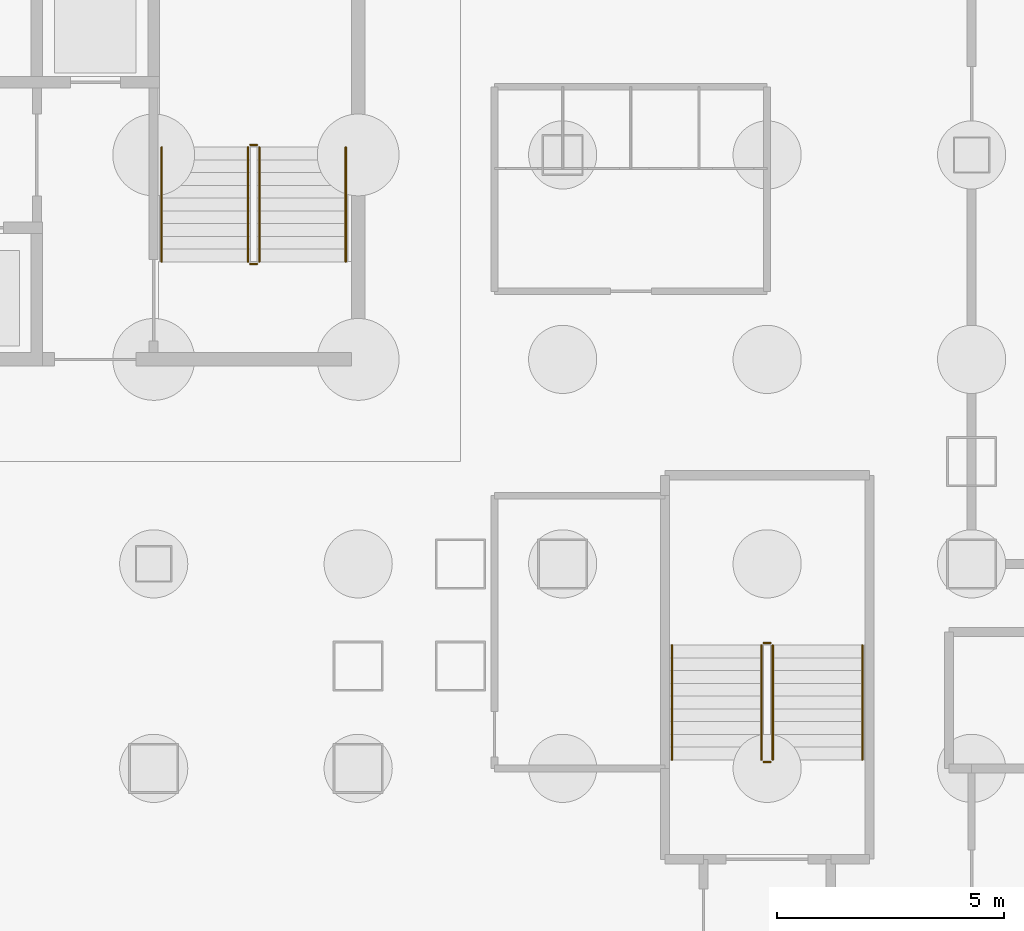
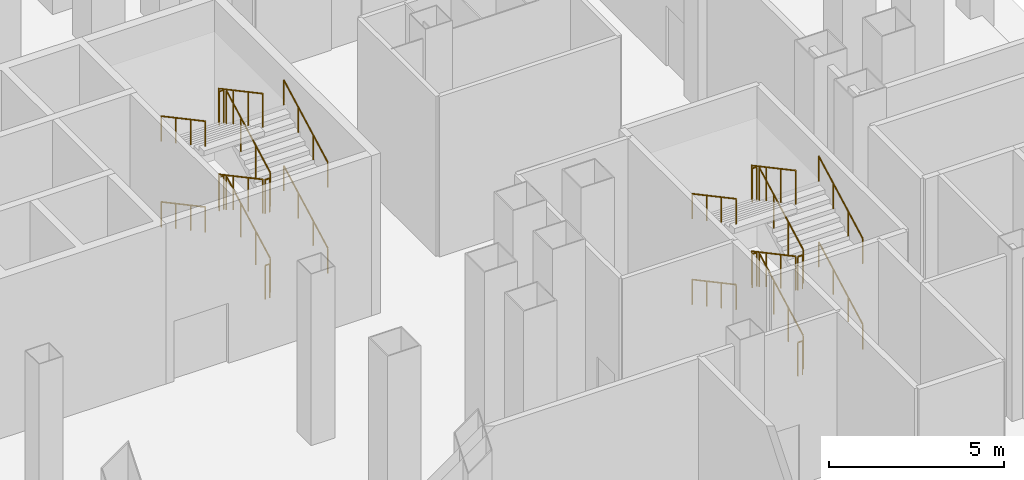
# One storey, part 21 of 25: 24 railings.
"""IFC4 building model written with IfcOpenShell, lengths in metres."""

from ifc_helpers import new_model, si_unit, direction, frame, origin, origin_2d, place, context, subcontext, project, spatial, circle, extrude, material, type_object, element, save


model = new_model("IFC4")

# Units and contexts
model_context = context("Model", 3, precision=1e-05, world=origin(), true_north=direction((0.0, 1.0)))
body_context = subcontext(model_context, "Body", "Model", "MODEL_VIEW")
ifc_project = project(units=[si_unit("LENGTHUNIT", "METRE"), si_unit("AREAUNIT", "SQUARE_METRE"), si_unit("VOLUMEUNIT", "CUBIC_METRE"), si_unit("PLANEANGLEUNIT", "RADIAN"), si_unit("MASSUNIT", "GRAM", prefix="KILO")], contexts=[model_context])

# Site, building, storey
site_placement = place(None, origin())
site = spatial("IfcSite", under=ifc_project, at=site_placement, CompositionType="ELEMENT")
building_placement = place(site_placement, origin())
building = spatial("IfcBuilding", under=site, at=building_placement, Name="Caravel Reach Hotel and Residences", CompositionType="ELEMENT")
storey_placement = place(building_placement, frame((0.0, 0.0, -6.0)))
storey = spatial("IfcBuildingStorey", under=building, at=storey_placement, Name="B1", CompositionType="ELEMENT", Elevation=-6.0)

# Railings
ifc_material_1 = material(Name="Steel balustrade with glass infill", Category="steel")
railing_type_1 = type_object("IfcRailingType", Name="Guard 1200", PredefinedType="GUARDRAIL", material=ifc_material_1)
railing_1_placement = place(storey_placement, frame((42.824951171875, 24.64990234375, 0.14990234375)))
element("IfcRailing", 1, at=railing_1_placement, inside=storey, type_object=railing_type_1, Name="B1 ST-B stair guard 1", PredefinedType="GUARDRAIL", context=body_context, shape_type="SweptSolid", body=[
    extrude(circle(Radius=0.02392578125, at=origin_2d()), frame((0.0, 0.0, 1.17578125), z_axis=(0.0, 0.881467274426, 0.472245110209), x_axis=(-1.0, 0.0, 0.0)), (0.0, 0.0, 1.0), 2.85888671875),
    extrude(circle(Radius=0.02099609375, at=origin_2d()), origin(), (0.0, 0.0, 1.0), 1.15185546875),
    extrude(circle(Radius=0.02099609375, at=origin_2d()), frame((0.0, 0.840087890625, 0.449951171875)), (0.0, 0.0, 1.0), 1.15185546875),
    extrude(circle(Radius=0.02099609375, at=origin_2d()), frame((0.0, 1.679931640625, 0.900146484375)), (0.0, 0.0, 1.0), 1.15185546875),
    extrude(circle(Radius=0.02099609375, at=origin_2d()), frame((0.0, 2.52001953125, 1.35009765625)), (0.0, 0.0, 1.0), 1.15185546875),
])
railing_2_placement = place(storey_placement, frame((42.77490234375, 27.219970703125, 1.5)))
element("IfcRailing", 2, at=railing_2_placement, inside=storey, type_object=railing_type_1, Name="B1 ST-B stair guard 2", PredefinedType="GUARDRAIL", context=body_context, shape_type="SweptSolid", body=[
    extrude(circle(Radius=0.02392578125, at=origin_2d()), frame((0.0, 0.0, 1.17578125), z_axis=(-1.0, 0.0, 0.0), x_axis=(0.0, -1.0, 0.0)), (0.0, 0.0, 1.0), 0.14990234375),
    extrude(circle(Radius=0.02099609375, at=origin_2d()), origin(), (0.0, 0.0, 1.0), 1.15185546875),
    extrude(circle(Radius=0.02099609375, at=origin_2d()), frame((-0.14990234375, 0.0, 0.0)), (0.0, 0.0, 1.0), 1.15185546875),
])
railing_3_placement = place(storey_placement, frame((42.574951171875, 27.169921875, 1.64990234375)))
element("IfcRailing", 3, at=railing_3_placement, inside=storey, type_object=railing_type_1, Name="B1 ST-B stair guard 3", PredefinedType="GUARDRAIL", context=body_context, shape_type="SweptSolid", body=[
    extrude(circle(Radius=0.02392578125, at=origin_2d()), frame((0.0, 0.0, 1.17578125), z_axis=(0.0, -0.881467274426, 0.472245110209), x_axis=(1.0, 0.0, 0.0)), (0.0, 0.0, 1.0), 2.85888671875),
    extrude(circle(Radius=0.02099609375, at=origin_2d()), origin(), (0.0, 0.0, 1.0), 1.15185546875),
    extrude(circle(Radius=0.02099609375, at=origin_2d()), frame((0.0, -0.840087890625, 0.449951171875)), (0.0, 0.0, 1.0), 1.15185546875),
    extrude(circle(Radius=0.02099609375, at=origin_2d()), frame((0.0, -1.679931640625, 0.900146484375)), (0.0, 0.0, 1.0), 1.15185546875),
    extrude(circle(Radius=0.02099609375, at=origin_2d()), frame((0.0, -2.52001953125, 1.35009765625)), (0.0, 0.0, 1.0), 1.15185546875),
])
railing_4_placement = place(storey_placement, frame((42.77490234375, 24.60009765625, 3.0)))
element("IfcRailing", 4, at=railing_4_placement, inside=storey, type_object=railing_type_1, Name="B1 ST-B stair guard 4", PredefinedType="GUARDRAIL", context=body_context, shape_type="SweptSolid", body=[
    extrude(circle(Radius=0.02392578125, at=origin_2d()), frame((0.0, 0.0, 1.17578125), z_axis=(-1.0, 0.0, 0.0), x_axis=(0.0, -1.0, 0.0)), (0.0, 0.0, 1.0), 0.14990234375),
    extrude(circle(Radius=0.02099609375, at=origin_2d()), origin(), (0.0, 0.0, 1.0), 1.15185546875),
    extrude(circle(Radius=0.02099609375, at=origin_2d()), frame((-0.14990234375, 0.0, 0.0)), (0.0, 0.0, 1.0), 1.15185546875),
])
railing_5_placement = place(storey_placement, frame((42.824951171875, 24.64990234375, 3.14990234375)))
element("IfcRailing", 5, at=railing_5_placement, inside=storey, type_object=railing_type_1, Name="B1 ST-B stair guard 5", PredefinedType="GUARDRAIL", context=body_context, shape_type="SweptSolid", body=[
    extrude(circle(Radius=0.02392578125, at=origin_2d()), frame((0.0, 0.0, 1.17578125), z_axis=(0.0, 0.881467274426, 0.472245110209), x_axis=(-1.0, 0.0, 0.0)), (0.0, 0.0, 1.0), 2.85888671875),
    extrude(circle(Radius=0.02099609375, at=origin_2d()), origin(), (0.0, 0.0, 1.0), 1.15185546875),
    extrude(circle(Radius=0.02099609375, at=origin_2d()), frame((0.0, 0.840087890625, 0.449951171875)), (0.0, 0.0, 1.0), 1.15185546875),
    extrude(circle(Radius=0.02099609375, at=origin_2d()), frame((0.0, 1.679931640625, 0.900146484375)), (0.0, 0.0, 1.0), 1.15185546875),
    extrude(circle(Radius=0.02099609375, at=origin_2d()), frame((0.0, 2.52001953125, 1.35009765625)), (0.0, 0.0, 1.0), 1.15185546875),
])
railing_6_placement = place(storey_placement, frame((42.77490234375, 27.219970703125, 4.5)))
element("IfcRailing", 6, at=railing_6_placement, inside=storey, type_object=railing_type_1, Name="B1 ST-B stair guard 6", PredefinedType="GUARDRAIL", context=body_context, shape_type="SweptSolid", body=[
    extrude(circle(Radius=0.02392578125, at=origin_2d()), frame((0.0, 0.0, 1.17578125), z_axis=(-1.0, 0.0, 0.0), x_axis=(0.0, -1.0, 0.0)), (0.0, 0.0, 1.0), 0.14990234375),
    extrude(circle(Radius=0.02099609375, at=origin_2d()), origin(), (0.0, 0.0, 1.0), 1.15185546875),
    extrude(circle(Radius=0.02099609375, at=origin_2d()), frame((-0.14990234375, 0.0, 0.0)), (0.0, 0.0, 1.0), 1.15185546875),
])
railing_7_placement = place(storey_placement, frame((42.574951171875, 27.169921875, 4.64990234375)))
element("IfcRailing", 7, at=railing_7_placement, inside=storey, type_object=railing_type_1, Name="B1 ST-B stair guard 7", PredefinedType="GUARDRAIL", context=body_context, shape_type="SweptSolid", body=[
    extrude(circle(Radius=0.02392578125, at=origin_2d()), frame((0.0, 0.0, 1.17578125), z_axis=(0.0, -0.881467274426, 0.472245110209), x_axis=(1.0, 0.0, 0.0)), (0.0, 0.0, 1.0), 2.85888671875),
    extrude(circle(Radius=0.02099609375, at=origin_2d()), origin(), (0.0, 0.0, 1.0), 1.15185546875),
    extrude(circle(Radius=0.02099609375, at=origin_2d()), frame((0.0, -0.840087890625, 0.449951171875)), (0.0, 0.0, 1.0), 1.15185546875),
    extrude(circle(Radius=0.02099609375, at=origin_2d()), frame((0.0, -1.679931640625, 0.900146484375)), (0.0, 0.0, 1.0), 1.15185546875),
    extrude(circle(Radius=0.02099609375, at=origin_2d()), frame((0.0, -2.52001953125, 1.35009765625)), (0.0, 0.0, 1.0), 1.15185546875),
])
railing_8_placement = place(storey_placement, frame((42.77490234375, 24.60009765625, 0.0)))
element("IfcRailing", 8, at=railing_8_placement, inside=storey, type_object=railing_type_1, Name="B1 ST-B stair guard 8", PredefinedType="GUARDRAIL", context=body_context, shape_type="SweptSolid", body=[
    extrude(circle(Radius=0.02392578125, at=origin_2d()), frame((0.0, 0.0, 1.17578125), z_axis=(-1.0, 0.0, 0.0), x_axis=(0.0, -1.0, 0.0)), (0.0, 0.0, 1.0), 0.14990234375),
    extrude(circle(Radius=0.02099609375, at=origin_2d()), origin(), (0.0, 0.0, 1.0), 1.15185546875),
    extrude(circle(Radius=0.02099609375, at=origin_2d()), frame((-0.14990234375, 0.0, 0.0)), (0.0, 0.0, 1.0), 1.15185546875),
])
railing_9_placement = place(storey_placement, frame((54.125, 13.68994140625, 0.14990234375)))
element("IfcRailing", 9, at=railing_9_placement, inside=storey, type_object=railing_type_1, Name="B1 ST-P4 stair guard 1", PredefinedType="GUARDRAIL", context=body_context, shape_type="SweptSolid", body=[
    extrude(circle(Radius=0.02392578125, at=origin_2d()), frame((0.0, 0.0, 1.17578125), z_axis=(0.0, 0.881467274426, 0.472245110209), x_axis=(-1.0, 0.0, 0.0)), (0.0, 0.0, 1.0), 2.85888671875),
    extrude(circle(Radius=0.02099609375, at=origin_2d()), origin(), (0.0, 0.0, 1.0), 1.15185546875),
    extrude(circle(Radius=0.02099609375, at=origin_2d()), frame((0.0, 0.840087890625, 0.449951171875)), (0.0, 0.0, 1.0), 1.15185546875),
    extrude(circle(Radius=0.02099609375, at=origin_2d()), frame((0.0, 1.679931640625, 0.900146484375)), (0.0, 0.0, 1.0), 1.15185546875),
    extrude(circle(Radius=0.02099609375, at=origin_2d()), frame((0.0, 2.52001953125, 1.35009765625)), (0.0, 0.0, 1.0), 1.15185546875),
])
railing_10_placement = place(storey_placement, frame((54.074951171875, 16.260009765625, 1.5)))
element("IfcRailing", 10, at=railing_10_placement, inside=storey, type_object=railing_type_1, Name="B1 ST-P4 stair guard 2", PredefinedType="GUARDRAIL", context=body_context, shape_type="SweptSolid", body=[
    extrude(circle(Radius=0.02392578125, at=origin_2d()), frame((0.0, 0.0, 1.17578125), z_axis=(-1.0, 0.0, 0.0), x_axis=(0.0, -1.0, 0.0)), (0.0, 0.0, 1.0), 0.14990234375),
    extrude(circle(Radius=0.02099609375, at=origin_2d()), origin(), (0.0, 0.0, 1.0), 1.15185546875),
    extrude(circle(Radius=0.02099609375, at=origin_2d()), frame((-0.14990234375, 0.0, 0.0)), (0.0, 0.0, 1.0), 1.15185546875),
])
railing_11_placement = place(storey_placement, frame((53.875, 16.2099609375, 1.64990234375)))
element("IfcRailing", 11, at=railing_11_placement, inside=storey, type_object=railing_type_1, Name="B1 ST-P4 stair guard 3", PredefinedType="GUARDRAIL", context=body_context, shape_type="SweptSolid", body=[
    extrude(circle(Radius=0.02392578125, at=origin_2d()), frame((0.0, 0.0, 1.17578125), z_axis=(0.0, -0.881467274426, 0.472245110209), x_axis=(1.0, 0.0, 0.0)), (0.0, 0.0, 1.0), 2.85888671875),
    extrude(circle(Radius=0.02099609375, at=origin_2d()), origin(), (0.0, 0.0, 1.0), 1.15185546875),
    extrude(circle(Radius=0.02099609375, at=origin_2d()), frame((0.0, -0.840087890625, 0.449951171875)), (0.0, 0.0, 1.0), 1.15185546875),
    extrude(circle(Radius=0.02099609375, at=origin_2d()), frame((0.0, -1.679931640625, 0.900146484375)), (0.0, 0.0, 1.0), 1.15185546875),
    extrude(circle(Radius=0.02099609375, at=origin_2d()), frame((0.0, -2.52001953125, 1.35009765625)), (0.0, 0.0, 1.0), 1.15185546875),
])
railing_12_placement = place(storey_placement, frame((54.074951171875, 13.639892578125, 3.0)))
element("IfcRailing", 12, at=railing_12_placement, inside=storey, type_object=railing_type_1, Name="B1 ST-P4 stair guard 4", PredefinedType="GUARDRAIL", context=body_context, shape_type="SweptSolid", body=[
    extrude(circle(Radius=0.02392578125, at=origin_2d()), frame((0.0, 0.0, 1.17578125), z_axis=(-1.0, 0.0, 0.0), x_axis=(0.0, -1.0, 0.0)), (0.0, 0.0, 1.0), 0.14990234375),
    extrude(circle(Radius=0.02099609375, at=origin_2d()), origin(), (0.0, 0.0, 1.0), 1.15185546875),
    extrude(circle(Radius=0.02099609375, at=origin_2d()), frame((-0.14990234375, 0.0, 0.0)), (0.0, 0.0, 1.0), 1.15185546875),
])
railing_13_placement = place(storey_placement, frame((54.125, 13.68994140625, 3.14990234375)))
element("IfcRailing", 13, at=railing_13_placement, inside=storey, type_object=railing_type_1, Name="B1 ST-P4 stair guard 5", PredefinedType="GUARDRAIL", context=body_context, shape_type="SweptSolid", body=[
    extrude(circle(Radius=0.02392578125, at=origin_2d()), frame((0.0, 0.0, 1.17578125), z_axis=(0.0, 0.881467274426, 0.472245110209), x_axis=(-1.0, 0.0, 0.0)), (0.0, 0.0, 1.0), 2.85888671875),
    extrude(circle(Radius=0.02099609375, at=origin_2d()), origin(), (0.0, 0.0, 1.0), 1.15185546875),
    extrude(circle(Radius=0.02099609375, at=origin_2d()), frame((0.0, 0.840087890625, 0.449951171875)), (0.0, 0.0, 1.0), 1.15185546875),
    extrude(circle(Radius=0.02099609375, at=origin_2d()), frame((0.0, 1.679931640625, 0.900146484375)), (0.0, 0.0, 1.0), 1.15185546875),
    extrude(circle(Radius=0.02099609375, at=origin_2d()), frame((0.0, 2.52001953125, 1.35009765625)), (0.0, 0.0, 1.0), 1.15185546875),
])
railing_14_placement = place(storey_placement, frame((54.074951171875, 16.260009765625, 4.5)))
element("IfcRailing", 14, at=railing_14_placement, inside=storey, type_object=railing_type_1, Name="B1 ST-P4 stair guard 6", PredefinedType="GUARDRAIL", context=body_context, shape_type="SweptSolid", body=[
    extrude(circle(Radius=0.02392578125, at=origin_2d()), frame((0.0, 0.0, 1.17578125), z_axis=(-1.0, 0.0, 0.0), x_axis=(0.0, -1.0, 0.0)), (0.0, 0.0, 1.0), 0.14990234375),
    extrude(circle(Radius=0.02099609375, at=origin_2d()), origin(), (0.0, 0.0, 1.0), 1.15185546875),
    extrude(circle(Radius=0.02099609375, at=origin_2d()), frame((-0.14990234375, 0.0, 0.0)), (0.0, 0.0, 1.0), 1.15185546875),
])
railing_15_placement = place(storey_placement, frame((53.875, 16.2099609375, 4.64990234375)))
element("IfcRailing", 15, at=railing_15_placement, inside=storey, type_object=railing_type_1, Name="B1 ST-P4 stair guard 7", PredefinedType="GUARDRAIL", context=body_context, shape_type="SweptSolid", body=[
    extrude(circle(Radius=0.02392578125, at=origin_2d()), frame((0.0, 0.0, 1.17578125), z_axis=(0.0, -0.881467274426, 0.472245110209), x_axis=(1.0, 0.0, 0.0)), (0.0, 0.0, 1.0), 2.85888671875),
    extrude(circle(Radius=0.02099609375, at=origin_2d()), origin(), (0.0, 0.0, 1.0), 1.15185546875),
    extrude(circle(Radius=0.02099609375, at=origin_2d()), frame((0.0, -0.840087890625, 0.449951171875)), (0.0, 0.0, 1.0), 1.15185546875),
    extrude(circle(Radius=0.02099609375, at=origin_2d()), frame((0.0, -1.679931640625, 0.900146484375)), (0.0, 0.0, 1.0), 1.15185546875),
    extrude(circle(Radius=0.02099609375, at=origin_2d()), frame((0.0, -2.52001953125, 1.35009765625)), (0.0, 0.0, 1.0), 1.15185546875),
])
railing_16_placement = place(storey_placement, frame((54.074951171875, 13.639892578125, 0.0)))
element("IfcRailing", 16, at=railing_16_placement, inside=storey, type_object=railing_type_1, Name="B1 ST-P4 stair guard 8", PredefinedType="GUARDRAIL", context=body_context, shape_type="SweptSolid", body=[
    extrude(circle(Radius=0.02392578125, at=origin_2d()), frame((0.0, 0.0, 1.17578125), z_axis=(-1.0, 0.0, 0.0), x_axis=(0.0, -1.0, 0.0)), (0.0, 0.0, 1.0), 0.14990234375),
    extrude(circle(Radius=0.02099609375, at=origin_2d()), origin(), (0.0, 0.0, 1.0), 1.15185546875),
    extrude(circle(Radius=0.02099609375, at=origin_2d()), frame((-0.14990234375, 0.0, 0.0)), (0.0, 0.0, 1.0), 1.15185546875),
])
ifc_material_2 = material(Name="Stainless steel handrail", Category="steel")
railing_type_2 = type_object("IfcRailingType", Name="Handrail 900", PredefinedType="HANDRAIL", material=ifc_material_2)
railing_17_placement = place(storey_placement, frame((44.72509765625, 24.64990234375, 0.14990234375)))
element("IfcRailing", 17, at=railing_17_placement, inside=storey, type_object=railing_type_2, Name="B1 ST-B stair handrail 1", PredefinedType="HANDRAIL", context=body_context, shape_type="SweptSolid", body=[
    extrude(circle(Radius=0.02392578125, at=origin_2d()), frame((0.0, 0.0, 0.8759765625), z_axis=(0.0, 0.881467274426, 0.472245110209), x_axis=(-1.0, 0.0, 0.0)), (0.0, 0.0, 1.0), 2.85888671875),
    extrude(circle(Radius=0.02099609375, at=origin_2d()), origin(), (0.0, 0.0, 1.0), 0.851806640625),
    extrude(circle(Radius=0.02099609375, at=origin_2d()), frame((0.0, 0.840087890625, 0.449951171875)), (0.0, 0.0, 1.0), 0.851806640625),
    extrude(circle(Radius=0.02099609375, at=origin_2d()), frame((0.0, 1.679931640625, 0.900146484375)), (0.0, 0.0, 1.0), 0.851806640625),
    extrude(circle(Radius=0.02099609375, at=origin_2d()), frame((0.0, 2.52001953125, 1.35009765625)), (0.0, 0.0, 1.0), 0.851806640625),
])
railing_18_placement = place(storey_placement, frame((40.675048828125, 27.169921875, 1.64990234375)))
element("IfcRailing", 18, at=railing_18_placement, inside=storey, type_object=railing_type_2, Name="B1 ST-B stair handrail 2", PredefinedType="HANDRAIL", context=body_context, shape_type="SweptSolid", body=[
    extrude(circle(Radius=0.02392578125, at=origin_2d()), frame((0.0, 0.0, 0.8759765625), z_axis=(0.0, -0.881467274426, 0.472245110209), x_axis=(1.0, 0.0, 0.0)), (0.0, 0.0, 1.0), 2.85888671875),
    extrude(circle(Radius=0.02099609375, at=origin_2d()), origin(), (0.0, 0.0, 1.0), 0.851806640625),
    extrude(circle(Radius=0.02099609375, at=origin_2d()), frame((0.0, -0.840087890625, 0.449951171875)), (0.0, 0.0, 1.0), 0.851806640625),
    extrude(circle(Radius=0.02099609375, at=origin_2d()), frame((0.0, -1.679931640625, 0.900146484375)), (0.0, 0.0, 1.0), 0.851806640625),
    extrude(circle(Radius=0.02099609375, at=origin_2d()), frame((0.0, -2.52001953125, 1.35009765625)), (0.0, 0.0, 1.0), 0.851806640625),
])
railing_19_placement = place(storey_placement, frame((44.72509765625, 24.64990234375, 3.14990234375)))
element("IfcRailing", 19, at=railing_19_placement, inside=storey, type_object=railing_type_2, Name="B1 ST-B stair handrail 3", PredefinedType="HANDRAIL", context=body_context, shape_type="SweptSolid", body=[
    extrude(circle(Radius=0.02392578125, at=origin_2d()), frame((0.0, 0.0, 0.8759765625), z_axis=(0.0, 0.881467274426, 0.472245110209), x_axis=(-1.0, 0.0, 0.0)), (0.0, 0.0, 1.0), 2.85888671875),
    extrude(circle(Radius=0.02099609375, at=origin_2d()), origin(), (0.0, 0.0, 1.0), 0.851806640625),
    extrude(circle(Radius=0.02099609375, at=origin_2d()), frame((0.0, 0.840087890625, 0.449951171875)), (0.0, 0.0, 1.0), 0.851806640625),
    extrude(circle(Radius=0.02099609375, at=origin_2d()), frame((0.0, 1.679931640625, 0.900146484375)), (0.0, 0.0, 1.0), 0.851806640625),
    extrude(circle(Radius=0.02099609375, at=origin_2d()), frame((0.0, 2.52001953125, 1.35009765625)), (0.0, 0.0, 1.0), 0.851806640625),
])
railing_20_placement = place(storey_placement, frame((40.675048828125, 27.169921875, 4.64990234375)))
element("IfcRailing", 20, at=railing_20_placement, inside=storey, type_object=railing_type_2, Name="B1 ST-B stair handrail 4", PredefinedType="HANDRAIL", context=body_context, shape_type="SweptSolid", body=[
    extrude(circle(Radius=0.02392578125, at=origin_2d()), frame((0.0, 0.0, 0.8759765625), z_axis=(0.0, -0.881467274426, 0.472245110209), x_axis=(1.0, 0.0, 0.0)), (0.0, 0.0, 1.0), 2.85888671875),
    extrude(circle(Radius=0.02099609375, at=origin_2d()), origin(), (0.0, 0.0, 1.0), 0.851806640625),
    extrude(circle(Radius=0.02099609375, at=origin_2d()), frame((0.0, -0.840087890625, 0.449951171875)), (0.0, 0.0, 1.0), 0.851806640625),
    extrude(circle(Radius=0.02099609375, at=origin_2d()), frame((0.0, -1.679931640625, 0.900146484375)), (0.0, 0.0, 1.0), 0.851806640625),
    extrude(circle(Radius=0.02099609375, at=origin_2d()), frame((0.0, -2.52001953125, 1.35009765625)), (0.0, 0.0, 1.0), 0.851806640625),
])
railing_21_placement = place(storey_placement, frame((56.094970703125, 13.68994140625, 0.14990234375)))
element("IfcRailing", 21, at=railing_21_placement, inside=storey, type_object=railing_type_2, Name="B1 ST-P4 stair handrail 1", PredefinedType="HANDRAIL", context=body_context, shape_type="SweptSolid", body=[
    extrude(circle(Radius=0.02392578125, at=origin_2d()), frame((0.0, 0.0, 0.8759765625), z_axis=(0.0, 0.881467274426, 0.472245110209), x_axis=(-1.0, 0.0, 0.0)), (0.0, 0.0, 1.0), 2.85888671875),
    extrude(circle(Radius=0.02099609375, at=origin_2d()), origin(), (0.0, 0.0, 1.0), 0.851806640625),
    extrude(circle(Radius=0.02099609375, at=origin_2d()), frame((0.0, 0.840087890625, 0.449951171875)), (0.0, 0.0, 1.0), 0.851806640625),
    extrude(circle(Radius=0.02099609375, at=origin_2d()), frame((0.0, 1.679931640625, 0.900146484375)), (0.0, 0.0, 1.0), 0.851806640625),
    extrude(circle(Radius=0.02099609375, at=origin_2d()), frame((0.0, 2.52001953125, 1.35009765625)), (0.0, 0.0, 1.0), 0.851806640625),
])
railing_22_placement = place(storey_placement, frame((51.905029296875, 16.2099609375, 1.64990234375)))
element("IfcRailing", 22, at=railing_22_placement, inside=storey, type_object=railing_type_2, Name="B1 ST-P4 stair handrail 2", PredefinedType="HANDRAIL", context=body_context, shape_type="SweptSolid", body=[
    extrude(circle(Radius=0.02392578125, at=origin_2d()), frame((0.0, 0.0, 0.8759765625), z_axis=(0.0, -0.881467274426, 0.472245110209), x_axis=(1.0, 0.0, 0.0)), (0.0, 0.0, 1.0), 2.85888671875),
    extrude(circle(Radius=0.02099609375, at=origin_2d()), origin(), (0.0, 0.0, 1.0), 0.851806640625),
    extrude(circle(Radius=0.02099609375, at=origin_2d()), frame((0.0, -0.840087890625, 0.449951171875)), (0.0, 0.0, 1.0), 0.851806640625),
    extrude(circle(Radius=0.02099609375, at=origin_2d()), frame((0.0, -1.679931640625, 0.900146484375)), (0.0, 0.0, 1.0), 0.851806640625),
    extrude(circle(Radius=0.02099609375, at=origin_2d()), frame((0.0, -2.52001953125, 1.35009765625)), (0.0, 0.0, 1.0), 0.851806640625),
])
railing_23_placement = place(storey_placement, frame((56.094970703125, 13.68994140625, 3.14990234375)))
element("IfcRailing", 23, at=railing_23_placement, inside=storey, type_object=railing_type_2, Name="B1 ST-P4 stair handrail 3", PredefinedType="HANDRAIL", context=body_context, shape_type="SweptSolid", body=[
    extrude(circle(Radius=0.02392578125, at=origin_2d()), frame((0.0, 0.0, 0.8759765625), z_axis=(0.0, 0.881467274426, 0.472245110209), x_axis=(-1.0, 0.0, 0.0)), (0.0, 0.0, 1.0), 2.85888671875),
    extrude(circle(Radius=0.02099609375, at=origin_2d()), origin(), (0.0, 0.0, 1.0), 0.851806640625),
    extrude(circle(Radius=0.02099609375, at=origin_2d()), frame((0.0, 0.840087890625, 0.449951171875)), (0.0, 0.0, 1.0), 0.851806640625),
    extrude(circle(Radius=0.02099609375, at=origin_2d()), frame((0.0, 1.679931640625, 0.900146484375)), (0.0, 0.0, 1.0), 0.851806640625),
    extrude(circle(Radius=0.02099609375, at=origin_2d()), frame((0.0, 2.52001953125, 1.35009765625)), (0.0, 0.0, 1.0), 0.851806640625),
])
railing_24_placement = place(storey_placement, frame((51.905029296875, 16.2099609375, 4.64990234375)))
element("IfcRailing", 24, at=railing_24_placement, inside=storey, type_object=railing_type_2, Name="B1 ST-P4 stair handrail 4", PredefinedType="HANDRAIL", context=body_context, shape_type="SweptSolid", body=[
    extrude(circle(Radius=0.02392578125, at=origin_2d()), frame((0.0, 0.0, 0.8759765625), z_axis=(0.0, -0.881467274426, 0.472245110209), x_axis=(1.0, 0.0, 0.0)), (0.0, 0.0, 1.0), 2.85888671875),
    extrude(circle(Radius=0.02099609375, at=origin_2d()), origin(), (0.0, 0.0, 1.0), 0.851806640625),
    extrude(circle(Radius=0.02099609375, at=origin_2d()), frame((0.0, -0.840087890625, 0.449951171875)), (0.0, 0.0, 1.0), 0.851806640625),
    extrude(circle(Radius=0.02099609375, at=origin_2d()), frame((0.0, -1.679931640625, 0.900146484375)), (0.0, 0.0, 1.0), 0.851806640625),
    extrude(circle(Radius=0.02099609375, at=origin_2d()), frame((0.0, -2.52001953125, 1.35009765625)), (0.0, 0.0, 1.0), 0.851806640625),
])

save(model, "model.ifc")
